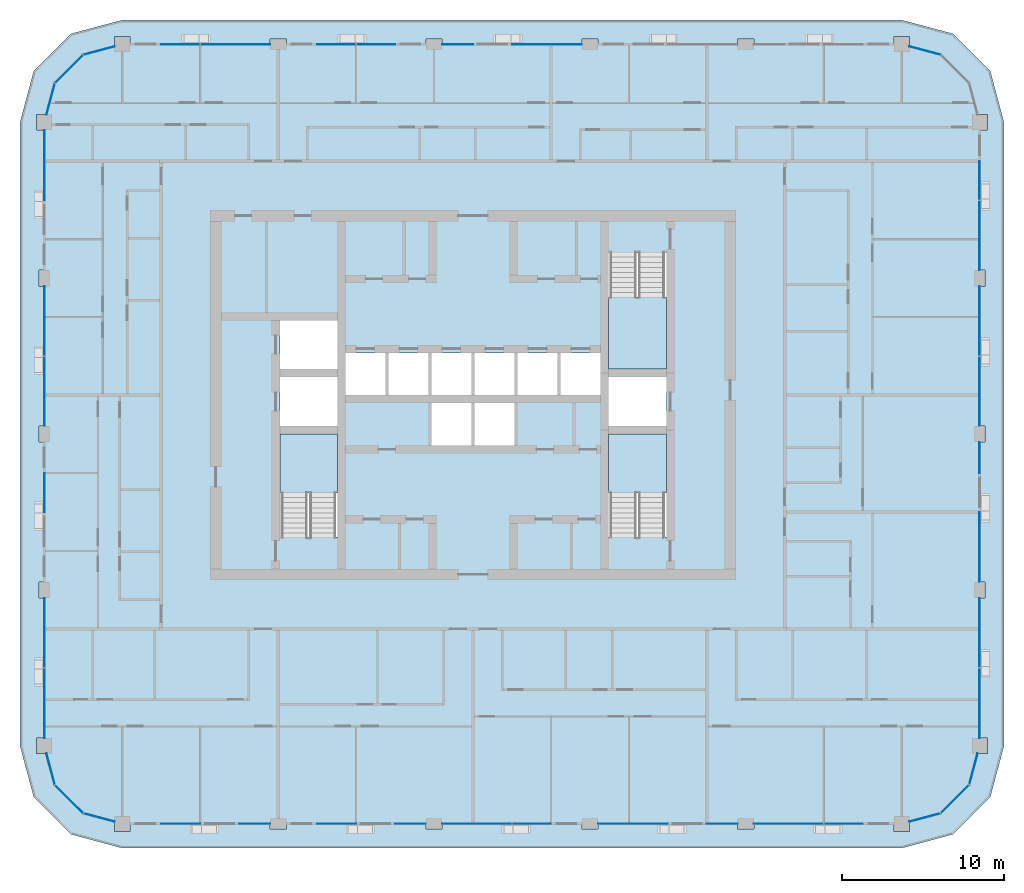
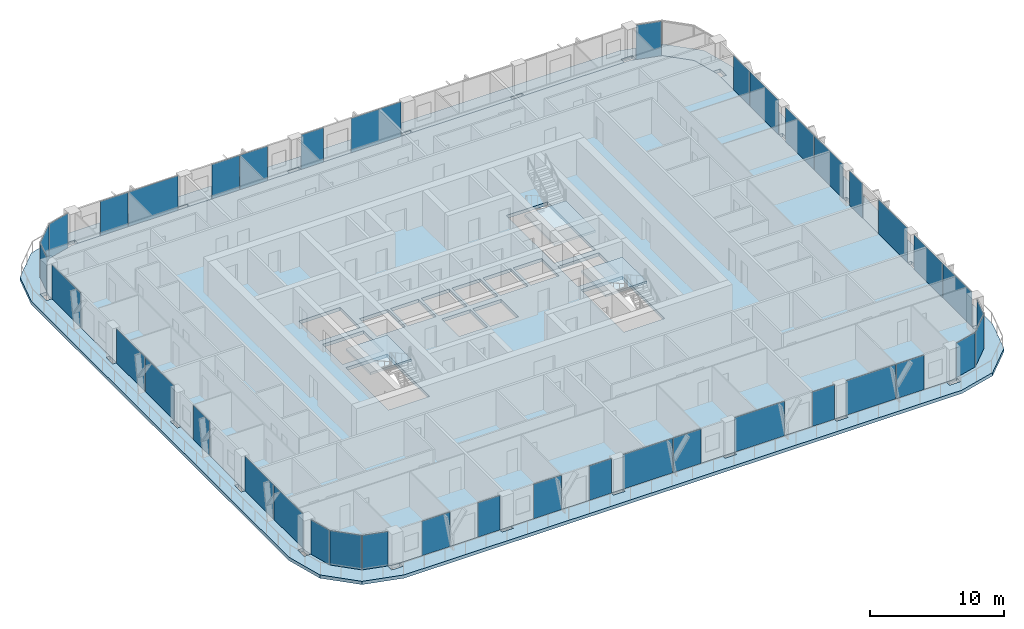
# One storey, part 7 of 22: 40 plates, 5 slabs, 23 elements without a shape of their own.
"""IFC4 building model written with IfcOpenShell, lengths in metres."""

from ifc_helpers import new_model, si_unit, direction, frame, origin, origin_2d, place, context, subcontext, project, spatial, polyline, rectangle, outline, extrude, material, layer, layer_set, type_object, element, aggregate, save


model = new_model("IFC4")

# Units and contexts
model_context = context("Model", 3, precision=1e-05, world=origin(), true_north=direction((0.0, 1.0)))
body_context = subcontext(model_context, "Body", "Model", "MODEL_VIEW")
ifc_project = project(units=[si_unit("LENGTHUNIT", "METRE"), si_unit("AREAUNIT", "SQUARE_METRE"), si_unit("VOLUMEUNIT", "CUBIC_METRE"), si_unit("PLANEANGLEUNIT", "RADIAN"), si_unit("MASSUNIT", "GRAM", prefix="KILO")], contexts=[model_context])

# Site, building, storey
site_placement = place(None, origin())
site = spatial("IfcSite", under=ifc_project, at=site_placement, CompositionType="ELEMENT")
building_placement = place(site_placement, origin())
building = spatial("IfcBuilding", under=site, at=building_placement, Name="Madar Terraces", CompositionType="ELEMENT")
storey_placement = place(building_placement, frame((0.0, 0.0, 192.89990234375)))
storey = spatial("IfcBuildingStorey", under=building, at=storey_placement, Name="L50", CompositionType="ELEMENT", Elevation=192.89990234375)

# Slabs
ifc_material_1 = material(Name="Concrete C50/60", Category="concrete")
ifc_layer_1 = layer(ifc_material_1, 0.300048828125)
ifc_layer_set_1 = layer_set([ifc_layer_1], Name="Balcony band 300")
slab_type_1 = type_object("IfcSlabType", Name="Balcony band 300", PredefinedType="FLOOR", material=ifc_layer_set_1)
slab_1_placement = place(storey_placement, frame((0.0, 0.0, -0.2998046875)))
element("IfcSlab", 1, at=slab_1_placement, inside=storey, type_object=slab_type_1, Name="Balcony band", PredefinedType="FLOOR", context=body_context, shape_type="SweptSolid", body=[
    extrude(outline(polyline([(9.60009765625, -1.5), (6.449951171875, -0.656005859375), (4.14404296875, 1.64990234375), (3.300048828125, 4.800048828125), (3.300048828125, 43.199951171875), (4.14404296875, 46.35009765625), (6.449951171875, 48.656005859375), (9.60009765625, 49.5), (57.60009765625, 49.5), (60.75, 48.656005859375), (63.055908203125, 46.35009765625), (63.89990234375, 43.199951171875), (63.89990234375, 4.800048828125), (63.055908203125, 1.64990234375), (60.75, -0.656005859375), (57.60009765625, -1.5), (9.60009765625, -1.5)]), holes=[polyline([(10.074951171875, -0.47509765625), (10.074951171875, 0.0), (18.699951171875, 0.0), (18.699951171875, -0.324951171875), (19.699951171875, -0.324951171875), (19.699951171875, 0.0), (28.300048828125, 0.0), (28.300048828125, -0.324951171875), (29.300048828125, -0.324951171875), (29.300048828125, 0.0), (37.89990234375, 0.0), (37.89990234375, -0.324951171875), (38.89990234375, -0.324951171875), (38.89990234375, 0.0), (47.5, 0.0), (47.5, -0.324951171875), (48.5, -0.324951171875), (48.5, 0.0), (57.125, 0.0), (57.125, -0.47509765625), (58.074951171875, -0.47509765625), (58.074951171875, 0.127197265625), (60.0, 0.64306640625), (61.7568359375, 2.39990234375), (62.272705078125, 4.324951171875), (62.875, 4.324951171875), (62.875, 5.27490234375), (62.39990234375, 5.27490234375), (62.39990234375, 13.89990234375), (62.72509765625, 13.89990234375), (62.72509765625, 14.89990234375), (62.39990234375, 14.89990234375), (62.39990234375, 23.5), (62.72509765625, 23.5), (62.72509765625, 24.5), (62.39990234375, 24.5), (62.39990234375, 33.10009765625), (62.72509765625, 33.10009765625), (62.72509765625, 34.10009765625), (62.39990234375, 34.10009765625), (62.39990234375, 42.72509765625), (62.875, 42.72509765625), (62.875, 43.675048828125), (62.272705078125, 43.675048828125), (61.7568359375, 45.60009765625), (60.0, 47.35693359375), (58.074951171875, 47.872802734375), (58.074951171875, 48.47509765625), (57.125, 48.47509765625), (57.125, 48.0), (48.5, 48.0), (48.5, 48.324951171875), (47.5, 48.324951171875), (47.5, 48.0), (38.89990234375, 48.0), (38.89990234375, 48.324951171875), (37.89990234375, 48.324951171875), (37.89990234375, 48.0), (29.300048828125, 48.0), (29.300048828125, 48.324951171875), (28.300048828125, 48.324951171875), (28.300048828125, 48.0), (19.699951171875, 48.0), (19.699951171875, 48.324951171875), (18.699951171875, 48.324951171875), (18.699951171875, 48.0), (10.074951171875, 48.0), (10.074951171875, 48.47509765625), (9.125, 48.47509765625), (9.125, 47.872802734375), (7.199951171875, 47.35693359375), (5.443115234375, 45.60009765625), (4.92724609375, 43.675048828125), (4.324951171875, 43.675048828125), (4.324951171875, 42.72509765625), (4.800048828125, 42.72509765625), (4.800048828125, 34.10009765625), (4.47509765625, 34.10009765625), (4.47509765625, 33.10009765625), (4.800048828125, 33.10009765625), (4.800048828125, 24.5), (4.47509765625, 24.5), (4.47509765625, 23.5), (4.800048828125, 23.5), (4.800048828125, 14.89990234375), (4.47509765625, 14.89990234375), (4.47509765625, 13.89990234375), (4.800048828125, 13.89990234375), (4.800048828125, 5.27490234375), (4.324951171875, 5.27490234375), (4.324951171875, 4.324951171875), (4.92724609375, 4.324951171875), (5.443115234375, 2.39990234375), (7.199951171875, 0.64306640625), (9.125, 0.127197265625), (9.125, -0.47509765625), (10.074951171875, -0.47509765625)])]), origin(), (0.0, 0.0, 1.0), 0.2998046875),
])
ifc_material_2 = material(Name="Concrete C50/60", Category="concrete")
ifc_layer_2 = layer(ifc_material_2, 0.300048828125)
ifc_layer_set_2 = layer_set([ifc_layer_2], Name="FS2 PT flat slab 300")
slab_type_2 = type_object("IfcSlabType", Name="FS2 PT flat slab 300", PredefinedType="FLOOR", material=ifc_layer_set_2)
slab_2_placement = place(storey_placement, frame((0.0, 0.0, -0.2998046875)))
element("IfcSlab", 2, at=slab_2_placement, inside=storey, type_object=slab_type_2, Name="Floor slab L50 (1)", PredefinedType="FLOOR", context=body_context, shape_type="SweptSolid", body=[
    extrude(outline(polyline([(57.60009765625, 0.0), (60.0, 0.64306640625), (61.7568359375, 2.39990234375), (62.39990234375, 4.800048828125), (62.39990234375, 43.199951171875), (61.7568359375, 45.60009765625), (60.0, 47.35693359375), (57.60009765625, 48.0), (9.60009765625, 48.0), (7.199951171875, 47.35693359375), (5.443115234375, 45.60009765625), (4.800048828125, 43.199951171875), (4.800048828125, 4.800048828125), (5.443115234375, 2.39990234375), (7.199951171875, 0.64306640625), (9.60009765625, 0.0), (57.60009765625, 0.0)]), holes=[polyline([(22.85009765625, 17.64990234375), (19.300048828125, 17.64990234375), (19.300048828125, 24.0), (22.85009765625, 24.0), (22.85009765625, 17.64990234375)]), polyline([(28.64990234375, 23.300048828125), (28.64990234375, 25.89990234375), (31.10009765625, 25.89990234375), (31.10009765625, 23.300048828125), (28.64990234375, 23.300048828125)]), polyline([(19.300048828125, 24.5), (19.300048828125, 27.5), (22.85009765625, 27.5), (22.85009765625, 24.5), (19.300048828125, 24.5)]), polyline([(23.35009765625, 26.39990234375), (23.35009765625, 29.0), (25.800048828125, 29.0), (25.800048828125, 26.39990234375), (23.35009765625, 26.39990234375)]), polyline([(26.0, 26.39990234375), (26.0, 29.0), (28.449951171875, 29.0), (28.449951171875, 26.39990234375), (26.0, 26.39990234375)]), polyline([(28.64990234375, 26.39990234375), (28.64990234375, 29.0), (31.10009765625, 29.0), (31.10009765625, 26.39990234375), (28.64990234375, 26.39990234375)]), polyline([(19.300048828125, 28.0), (19.300048828125, 31.0), (22.85009765625, 31.0), (22.85009765625, 28.0), (19.300048828125, 28.0)]), polyline([(43.10009765625, 17.64990234375), (39.550048828125, 17.64990234375), (39.550048828125, 24.0), (43.10009765625, 24.0), (43.10009765625, 17.64990234375)]), polyline([(31.300048828125, 23.300048828125), (31.300048828125, 25.89990234375), (33.75, 25.89990234375), (33.75, 23.300048828125), (31.300048828125, 23.300048828125)]), polyline([(39.550048828125, 24.5), (39.550048828125, 27.5), (43.10009765625, 27.5), (43.10009765625, 24.5), (39.550048828125, 24.5)]), polyline([(31.300048828125, 26.39990234375), (31.300048828125, 29.0), (33.75, 29.0), (33.75, 26.39990234375), (31.300048828125, 26.39990234375)]), polyline([(33.949951171875, 26.39990234375), (33.949951171875, 29.0), (36.39990234375, 29.0), (36.39990234375, 26.39990234375), (33.949951171875, 26.39990234375)]), polyline([(36.60009765625, 26.39990234375), (36.60009765625, 29.0), (39.050048828125, 29.0), (39.050048828125, 26.39990234375), (36.60009765625, 26.39990234375)]), polyline([(39.550048828125, 28.0), (39.550048828125, 35.14990234375), (43.10009765625, 35.14990234375), (43.10009765625, 28.0), (39.550048828125, 28.0)])]), origin(), (0.0, 0.0, 1.0), 0.2998046875),
])

# Curtain wall, plates
ifc_material_3 = material(Name="Glass, ceramic frit dark grey, with black aluminium frame", Category="aluminium")
ifc_layer_3 = layer(ifc_material_3, 0.199951171875)
ifc_layer_set_3 = layer_set([ifc_layer_3], Name="Facade curtain wall, fritted glass")
curtain_wall_type = type_object("IfcCurtainWallType", Name="Facade curtain wall, fritted glass", PredefinedType="NOTDEFINED", material=ifc_layer_set_3)
curtain_wall_1_placement = place(storey_placement, origin())
curtain_wall_1 = element("IfcCurtainWall", 3, at=curtain_wall_1_placement, inside=storey, type_object=curtain_wall_type, Name="Outer skin curtain wall south bay 1", PredefinedType="NOTDEFINED")
ifc_material_4 = material(Name="Glass, ceramic frit dark grey", Category="glass")
ifc_layer_4 = layer(ifc_material_4, 0.028076171875)
ifc_layer_set_4 = layer_set([ifc_layer_4], Name="Facade glass panel 28")
plate_type = type_object("IfcPlateType", Name="Facade glass panel 28", PredefinedType="CURTAIN_PANEL", material=ifc_layer_set_4)
plate_1_placement = place(storey_placement, frame((13.199951171875, 0.0, 0.0), z_axis=(0.0, 0.0, 1.0), x_axis=(1.0, 0.0, 0.0)))
plate_1 = element("IfcPlate", 4, at=plate_1_placement, type_object=plate_type, Name="Panel 1", PredefinedType="CURTAIN_PANEL", context=body_context, shape_type="SweptSolid", body=[
    extrude(rectangle(XDim=2.39990234375, YDim=0.028076171875, at=origin_2d()), origin(), (0.0, 0.0, 1.0), 3.139892578125),
])
plate_2_placement = place(storey_placement, frame((17.75, 0.0, 0.0), z_axis=(0.0, 0.0, 1.0), x_axis=(1.0, 0.0, 0.0)))
plate_2 = element("IfcPlate", 5, at=plate_2_placement, type_object=plate_type, Name="Panel 2", PredefinedType="CURTAIN_PANEL", context=body_context, shape_type="SweptSolid", body=[
    extrude(rectangle(XDim=1.89990234375, YDim=0.028076171875, at=origin_2d()), origin(), (0.0, 0.0, 1.0), 3.139892578125),
])
aggregate(curtain_wall_1, [plate_1, plate_2])

curtain_wall_2_placement = place(storey_placement, origin())
curtain_wall_2 = element("IfcCurtainWall", 6, at=curtain_wall_2_placement, inside=storey, type_object=curtain_wall_type, Name="Outer skin curtain wall south bay 2", PredefinedType="NOTDEFINED")
plate_3_placement = place(storey_placement, frame((22.800048828125, 0.0, 0.0), z_axis=(0.0, 0.0, 1.0), x_axis=(1.0, 0.0, 0.0)))
plate_3 = element("IfcPlate", 7, at=plate_3_placement, type_object=plate_type, Name="Panel 1", PredefinedType="CURTAIN_PANEL", context=body_context, shape_type="SweptSolid", body=[
    extrude(rectangle(XDim=2.39990234375, YDim=0.028076171875, at=origin_2d()), origin(), (0.0, 0.0, 1.0), 3.139892578125),
])
plate_4_placement = place(storey_placement, frame((27.35009765625, 0.0, 0.0), z_axis=(0.0, 0.0, 1.0), x_axis=(1.0, 0.0, 0.0)))
plate_4 = element("IfcPlate", 8, at=plate_4_placement, type_object=plate_type, Name="Panel 2", PredefinedType="CURTAIN_PANEL", context=body_context, shape_type="SweptSolid", body=[
    extrude(rectangle(XDim=1.89990234375, YDim=0.028076171875, at=origin_2d()), origin(), (0.0, 0.0, 1.0), 3.139892578125),
])
aggregate(curtain_wall_2, [plate_3, plate_4])

curtain_wall_3_placement = place(storey_placement, origin())
curtain_wall_3 = element("IfcCurtainWall", 9, at=curtain_wall_3_placement, inside=storey, type_object=curtain_wall_type, Name="Outer skin curtain wall south bay 3", PredefinedType="NOTDEFINED")
plate_5_placement = place(storey_placement, frame((31.43505859375, 0.0, 0.0), z_axis=(0.0, 0.0, 1.0), x_axis=(1.0, 0.0, 0.0)))
plate_5 = element("IfcPlate", 10, at=plate_5_placement, type_object=plate_type, Name="Panel 1", PredefinedType="CURTAIN_PANEL", context=body_context, shape_type="SweptSolid", body=[
    extrude(rectangle(XDim=4.27001953125, YDim=0.028076171875, at=origin_2d()), origin(), (0.0, 0.0, 1.0), 3.139892578125),
])
plate_6_placement = place(storey_placement, frame((34.81494140625, 0.0, 0.0), z_axis=(0.0, 0.0, 1.0), x_axis=(1.0, 0.0, 0.0)))
plate_6 = element("IfcPlate", 11, at=plate_6_placement, type_object=plate_type, Name="Panel 2", PredefinedType="CURTAIN_PANEL", context=body_context, shape_type="SweptSolid", body=[
    extrude(rectangle(XDim=2.3701171875, YDim=0.028076171875, at=origin_2d()), origin(), (0.0, 0.0, 1.0), 3.139892578125),
])
aggregate(curtain_wall_3, [plate_5, plate_6])

curtain_wall_4_placement = place(storey_placement, origin())
curtain_wall_4 = element("IfcCurtainWall", 12, at=curtain_wall_4_placement, inside=storey, type_object=curtain_wall_type, Name="Outer skin curtain wall south bay 4", PredefinedType="NOTDEFINED")
plate_7_placement = place(storey_placement, frame((41.050048828125, 0.0, 0.0), z_axis=(0.0, 0.0, 1.0), x_axis=(1.0, 0.0, 0.0)))
plate_7 = element("IfcPlate", 13, at=plate_7_placement, type_object=plate_type, Name="Panel 1", PredefinedType="CURTAIN_PANEL", context=body_context, shape_type="SweptSolid", body=[
    extrude(rectangle(XDim=4.300048828125, YDim=0.028076171875, at=origin_2d()), origin(), (0.0, 0.0, 1.0), 3.139892578125),
])
plate_8_placement = place(storey_placement, frame((46.550048828125, 0.0, 0.0), z_axis=(0.0, 0.0, 1.0), x_axis=(1.0, 0.0, 0.0)))
plate_8 = element("IfcPlate", 14, at=plate_8_placement, type_object=plate_type, Name="Panel 2", PredefinedType="CURTAIN_PANEL", context=body_context, shape_type="SweptSolid", body=[
    extrude(rectangle(XDim=1.89990234375, YDim=0.028076171875, at=origin_2d()), origin(), (0.0, 0.0, 1.0), 3.139892578125),
])
aggregate(curtain_wall_4, [plate_7, plate_8])

curtain_wall_5_placement = place(storey_placement, origin())
curtain_wall_5 = element("IfcCurtainWall", 15, at=curtain_wall_5_placement, inside=storey, type_object=curtain_wall_type, Name="Outer skin curtain wall south bay 5", PredefinedType="NOTDEFINED")
plate_9_placement = place(storey_placement, frame((50.635009765625, 0.0, 0.0), z_axis=(0.0, 0.0, 1.0), x_axis=(1.0, 0.0, 0.0)))
plate_9 = element("IfcPlate", 16, at=plate_9_placement, type_object=plate_type, Name="Panel 1", PredefinedType="CURTAIN_PANEL", context=body_context, shape_type="SweptSolid", body=[
    extrude(rectangle(XDim=4.27001953125, YDim=0.028076171875, at=origin_2d()), origin(), (0.0, 0.0, 1.0), 3.139892578125),
])
plate_10_placement = place(storey_placement, frame((54.014892578125, 0.0, 0.0), z_axis=(0.0, 0.0, 1.0), x_axis=(1.0, 0.0, 0.0)))
plate_10 = element("IfcPlate", 17, at=plate_10_placement, type_object=plate_type, Name="Panel 2", PredefinedType="CURTAIN_PANEL", context=body_context, shape_type="SweptSolid", body=[
    extrude(rectangle(XDim=2.3701171875, YDim=0.028076171875, at=origin_2d()), origin(), (0.0, 0.0, 1.0), 3.139892578125),
])
aggregate(curtain_wall_5, [plate_9, plate_10])

curtain_wall_6_placement = place(storey_placement, origin())
curtain_wall_6 = element("IfcCurtainWall", 18, at=curtain_wall_6_placement, inside=storey, type_object=curtain_wall_type, Name="Outer skin curtain wall east bay 1", PredefinedType="NOTDEFINED")
plate_11_placement = place(storey_placement, frame((62.39990234375, 7.422607421875, 0.0), z_axis=(0.0, 0.0, 1.0), x_axis=(0.0, 1.0, 0.0)))
plate_11 = element("IfcPlate", 19, at=plate_11_placement, type_object=plate_type, Name="Panel 1", PredefinedType="CURTAIN_PANEL", context=body_context, shape_type="SweptSolid", body=[
    extrude(rectangle(XDim=4.294921875, YDim=0.028076171875, at=origin_2d()), origin(), (0.0, 0.0, 1.0), 3.139892578125),
])
plate_12_placement = place(storey_placement, frame((62.39990234375, 11.764892578125, 0.0), z_axis=(0.0, 0.0, 1.0), x_axis=(0.0, 1.0, 0.0)))
plate_12 = element("IfcPlate", 20, at=plate_12_placement, type_object=plate_type, Name="Panel 2", PredefinedType="CURTAIN_PANEL", context=body_context, shape_type="SweptSolid", body=[
    extrude(rectangle(XDim=4.27001953125, YDim=0.028076171875, at=origin_2d()), origin(), (0.0, 0.0, 1.0), 3.139892578125),
])
aggregate(curtain_wall_6, [plate_11, plate_12])

curtain_wall_7_placement = place(storey_placement, origin())
curtain_wall_7 = element("IfcCurtainWall", 21, at=curtain_wall_7_placement, inside=storey, type_object=curtain_wall_type, Name="Outer skin curtain wall east bay 2", PredefinedType="NOTDEFINED")
plate_13_placement = place(storey_placement, frame((62.39990234375, 17.050048828125, 0.0), z_axis=(0.0, 0.0, 1.0), x_axis=(0.0, 1.0, 0.0)))
plate_13 = element("IfcPlate", 22, at=plate_13_placement, type_object=plate_type, Name="Panel 1", PredefinedType="CURTAIN_PANEL", context=body_context, shape_type="SweptSolid", body=[
    extrude(rectangle(XDim=4.300048828125, YDim=0.028076171875, at=origin_2d()), origin(), (0.0, 0.0, 1.0), 3.139892578125),
])
plate_14_placement = place(storey_placement, frame((62.39990234375, 22.550048828125, 0.0), z_axis=(0.0, 0.0, 1.0), x_axis=(0.0, 1.0, 0.0)))
plate_14 = element("IfcPlate", 23, at=plate_14_placement, type_object=plate_type, Name="Panel 2", PredefinedType="CURTAIN_PANEL", context=body_context, shape_type="SweptSolid", body=[
    extrude(rectangle(XDim=1.89990234375, YDim=0.028076171875, at=origin_2d()), origin(), (0.0, 0.0, 1.0), 3.139892578125),
])
aggregate(curtain_wall_7, [plate_13, plate_14])

curtain_wall_8_placement = place(storey_placement, origin())
curtain_wall_8 = element("IfcCurtainWall", 24, at=curtain_wall_8_placement, inside=storey, type_object=curtain_wall_type, Name="Outer skin curtain wall east bay 3", PredefinedType="NOTDEFINED")
plate_15_placement = place(storey_placement, frame((62.39990234375, 26.635009765625, 0.0), z_axis=(0.0, 0.0, 1.0), x_axis=(0.0, 1.0, 0.0)))
plate_15 = element("IfcPlate", 25, at=plate_15_placement, type_object=plate_type, Name="Panel 1", PredefinedType="CURTAIN_PANEL", context=body_context, shape_type="SweptSolid", body=[
    extrude(rectangle(XDim=4.27001953125, YDim=0.028076171875, at=origin_2d()), origin(), (0.0, 0.0, 1.0), 3.139892578125),
])
plate_16_placement = place(storey_placement, frame((62.39990234375, 30.965087890625, 0.0), z_axis=(0.0, 0.0, 1.0), x_axis=(0.0, 1.0, 0.0)))
plate_16 = element("IfcPlate", 26, at=plate_16_placement, type_object=plate_type, Name="Panel 2", PredefinedType="CURTAIN_PANEL", context=body_context, shape_type="SweptSolid", body=[
    extrude(rectangle(XDim=4.27001953125, YDim=0.028076171875, at=origin_2d()), origin(), (0.0, 0.0, 1.0), 3.139892578125),
])
aggregate(curtain_wall_8, [plate_15, plate_16])

curtain_wall_9_placement = place(storey_placement, origin())
curtain_wall_9 = element("IfcCurtainWall", 27, at=curtain_wall_9_placement, inside=storey, type_object=curtain_wall_type, Name="Outer skin curtain wall east bay 4", PredefinedType="NOTDEFINED")
plate_17_placement = place(storey_placement, frame((62.39990234375, 36.235107421875, 0.0), z_axis=(0.0, 0.0, 1.0), x_axis=(0.0, 1.0, 0.0)))
plate_17 = element("IfcPlate", 28, at=plate_17_placement, type_object=plate_type, Name="Panel 1", PredefinedType="CURTAIN_PANEL", context=body_context, shape_type="SweptSolid", body=[
    extrude(rectangle(XDim=4.27001953125, YDim=0.028076171875, at=origin_2d()), origin(), (0.0, 0.0, 1.0), 3.139892578125),
])
plate_18_placement = place(storey_placement, frame((62.39990234375, 39.614990234375, 0.0), z_axis=(0.0, 0.0, 1.0), x_axis=(0.0, 1.0, 0.0)))
plate_18 = element("IfcPlate", 29, at=plate_18_placement, type_object=plate_type, Name="Panel 2", PredefinedType="CURTAIN_PANEL", context=body_context, shape_type="SweptSolid", body=[
    extrude(rectangle(XDim=2.3701171875, YDim=0.028076171875, at=origin_2d()), origin(), (0.0, 0.0, 1.0), 3.139892578125),
])
aggregate(curtain_wall_9, [plate_17, plate_18])

curtain_wall_10_placement = place(storey_placement, origin())
curtain_wall_10 = element("IfcCurtainWall", 30, at=curtain_wall_10_placement, inside=storey, type_object=curtain_wall_type, Name="Outer skin curtain wall north bay 3", PredefinedType="NOTDEFINED")
plate_19_placement = place(storey_placement, frame((35.75, 48.0, 0.0), z_axis=(0.0, 0.0, 1.0), x_axis=(-1.0, 0.0, 0.0)))
plate_19 = element("IfcPlate", 31, at=plate_19_placement, type_object=plate_type, Name="Panel 1", PredefinedType="CURTAIN_PANEL", context=body_context, shape_type="SweptSolid", body=[
    extrude(rectangle(XDim=4.300048828125, YDim=0.028076171875, at=origin_2d()), origin(), (0.0, 0.0, 1.0), 3.139892578125),
])
plate_20_placement = place(storey_placement, frame((30.25, 48.0, 0.0), z_axis=(0.0, 0.0, 1.0), x_axis=(-1.0, 0.0, 0.0)))
plate_20 = element("IfcPlate", 32, at=plate_20_placement, type_object=plate_type, Name="Panel 2", PredefinedType="CURTAIN_PANEL", context=body_context, shape_type="SweptSolid", body=[
    extrude(rectangle(XDim=1.89990234375, YDim=0.028076171875, at=origin_2d()), origin(), (0.0, 0.0, 1.0), 3.139892578125),
])
aggregate(curtain_wall_10, [plate_19, plate_20])

curtain_wall_11_placement = place(storey_placement, origin())
curtain_wall_11 = element("IfcCurtainWall", 33, at=curtain_wall_11_placement, inside=storey, type_object=curtain_wall_type, Name="Outer skin curtain wall north bay 4", PredefinedType="NOTDEFINED")
plate_21_placement = place(storey_placement, frame((25.215087890625, 48.0, 0.0), z_axis=(0.0, 0.0, 1.0), x_axis=(-1.0, 0.0, 0.0)))
plate_21 = element("IfcPlate", 34, at=plate_21_placement, type_object=plate_type, Name="Panel 1", PredefinedType="CURTAIN_PANEL", context=body_context, shape_type="SweptSolid", body=[
    extrude(rectangle(XDim=2.3701171875, YDim=0.028076171875, at=origin_2d()), origin(), (0.0, 0.0, 1.0), 3.139892578125),
])
plate_22_placement = place(storey_placement, frame((22.784912109375, 48.0, 0.0), z_axis=(0.0, 0.0, 1.0), x_axis=(-1.0, 0.0, 0.0)))
plate_22 = element("IfcPlate", 35, at=plate_22_placement, type_object=plate_type, Name="Panel 2", PredefinedType="CURTAIN_PANEL", context=body_context, shape_type="SweptSolid", body=[
    extrude(rectangle(XDim=2.3701171875, YDim=0.028076171875, at=origin_2d()), origin(), (0.0, 0.0, 1.0), 3.139892578125),
])
aggregate(curtain_wall_11, [plate_21, plate_22])

curtain_wall_12_placement = place(storey_placement, origin())
curtain_wall_12 = element("IfcCurtainWall", 36, at=curtain_wall_12_placement, inside=storey, type_object=curtain_wall_type, Name="Outer skin curtain wall north bay 5", PredefinedType="NOTDEFINED")
plate_23_placement = place(storey_placement, frame((16.56494140625, 48.0, 0.0), z_axis=(0.0, 0.0, 1.0), x_axis=(-1.0, 0.0, 0.0)))
plate_23 = element("IfcPlate", 37, at=plate_23_placement, type_object=plate_type, Name="Panel 1", PredefinedType="CURTAIN_PANEL", context=body_context, shape_type="SweptSolid", body=[
    extrude(rectangle(XDim=4.27001953125, YDim=0.028076171875, at=origin_2d()), origin(), (0.0, 0.0, 1.0), 3.139892578125),
])
plate_24_placement = place(storey_placement, frame((13.18505859375, 48.0, 0.0), z_axis=(0.0, 0.0, 1.0), x_axis=(-1.0, 0.0, 0.0)))
plate_24 = element("IfcPlate", 38, at=plate_24_placement, type_object=plate_type, Name="Panel 2", PredefinedType="CURTAIN_PANEL", context=body_context, shape_type="SweptSolid", body=[
    extrude(rectangle(XDim=2.3701171875, YDim=0.028076171875, at=origin_2d()), origin(), (0.0, 0.0, 1.0), 3.139892578125),
])
aggregate(curtain_wall_12, [plate_23, plate_24])

# Curtain wall, plate
curtain_wall_13_placement = place(storey_placement, origin())
curtain_wall_13 = element("IfcCurtainWall", 39, at=curtain_wall_13_placement, inside=storey, type_object=curtain_wall_type, Name="Outer skin curtain wall west bay 1", PredefinedType="NOTDEFINED")
plate_25_placement = place(storey_placement, frame((4.800048828125, 40.5625, 0.0), z_axis=(0.0, 0.0, 1.0), x_axis=(0.0, -1.0, 0.0)))
plate_25 = element("IfcPlate", 40, at=plate_25_placement, type_object=plate_type, Name="Panel 1", PredefinedType="CURTAIN_PANEL", context=body_context, shape_type="SweptSolid", body=[
    extrude(rectangle(XDim=4.324951171875, YDim=0.028076171875, at=origin_2d()), origin(), (0.0, 0.0, 1.0), 3.139892578125),
])
aggregate(curtain_wall_13, [plate_25])

# Curtain wall, plates
curtain_wall_14_placement = place(storey_placement, origin())
curtain_wall_14 = element("IfcCurtainWall", 41, at=curtain_wall_14_placement, inside=storey, type_object=curtain_wall_type, Name="Outer skin curtain wall west bay 2", PredefinedType="NOTDEFINED")
plate_26_placement = place(storey_placement, frame((4.800048828125, 30.965087890625, 0.0), z_axis=(0.0, 0.0, 1.0), x_axis=(0.0, -1.0, 0.0)))
plate_26 = element("IfcPlate", 42, at=plate_26_placement, type_object=plate_type, Name="Panel 1", PredefinedType="CURTAIN_PANEL", context=body_context, shape_type="SweptSolid", body=[
    extrude(rectangle(XDim=4.27001953125, YDim=0.028076171875, at=origin_2d()), origin(), (0.0, 0.0, 1.0), 3.139892578125),
])
plate_27_placement = place(storey_placement, frame((4.800048828125, 26.635009765625, 0.0), z_axis=(0.0, 0.0, 1.0), x_axis=(0.0, -1.0, 0.0)))
plate_27 = element("IfcPlate", 43, at=plate_27_placement, type_object=plate_type, Name="Panel 2", PredefinedType="CURTAIN_PANEL", context=body_context, shape_type="SweptSolid", body=[
    extrude(rectangle(XDim=4.27001953125, YDim=0.028076171875, at=origin_2d()), origin(), (0.0, 0.0, 1.0), 3.139892578125),
])
aggregate(curtain_wall_14, [plate_26, plate_27])

# Curtain wall, plate
curtain_wall_15_placement = place(storey_placement, origin())
curtain_wall_15 = element("IfcCurtainWall", 44, at=curtain_wall_15_placement, inside=storey, type_object=curtain_wall_type, Name="Outer skin curtain wall west bay 3", PredefinedType="NOTDEFINED")
plate_28_placement = place(storey_placement, frame((4.800048828125, 20.39990234375, 0.0), z_axis=(0.0, 0.0, 1.0), x_axis=(0.0, -1.0, 0.0)))
plate_28 = element("IfcPlate", 45, at=plate_28_placement, type_object=plate_type, Name="Panel 1", PredefinedType="CURTAIN_PANEL", context=body_context, shape_type="SweptSolid", body=[
    extrude(rectangle(XDim=2.39990234375, YDim=0.028076171875, at=origin_2d()), origin(), (0.0, 0.0, 1.0), 3.139892578125),
])
aggregate(curtain_wall_15, [plate_28])

# Curtain wall, plates
curtain_wall_16_placement = place(storey_placement, origin())
curtain_wall_16 = element("IfcCurtainWall", 46, at=curtain_wall_16_placement, inside=storey, type_object=curtain_wall_type, Name="Outer skin curtain wall west bay 4", PredefinedType="NOTDEFINED")
plate_29_placement = place(storey_placement, frame((4.800048828125, 11.764892578125, 0.0), z_axis=(0.0, 0.0, 1.0), x_axis=(0.0, -1.0, 0.0)))
plate_29 = element("IfcPlate", 47, at=plate_29_placement, type_object=plate_type, Name="Panel 1", PredefinedType="CURTAIN_PANEL", context=body_context, shape_type="SweptSolid", body=[
    extrude(rectangle(XDim=4.27001953125, YDim=0.028076171875, at=origin_2d()), origin(), (0.0, 0.0, 1.0), 3.139892578125),
])
plate_30_placement = place(storey_placement, frame((4.800048828125, 7.422607421875, 0.0), z_axis=(0.0, 0.0, 1.0), x_axis=(0.0, -1.0, 0.0)))
plate_30 = element("IfcPlate", 48, at=plate_30_placement, type_object=plate_type, Name="Panel 2", PredefinedType="CURTAIN_PANEL", context=body_context, shape_type="SweptSolid", body=[
    extrude(rectangle(XDim=4.294921875, YDim=0.028076171875, at=origin_2d()), origin(), (0.0, 0.0, 1.0), 3.139892578125),
])
aggregate(curtain_wall_16, [plate_29, plate_30])

curtain_wall_17_placement = place(storey_placement, origin())
curtain_wall_17 = element("IfcCurtainWall", 49, at=curtain_wall_17_placement, inside=storey, type_object=curtain_wall_type, Name="Outer skin curtain wall south-east corner", PredefinedType="NOTDEFINED")
plate_31_placement = place(storey_placement, frame((59.02294921875, 0.38134765625, 0.0), z_axis=(0.0, 0.0, 1.0), x_axis=(0.965925832509, 0.258819021888, 0.0)))
plate_31 = element("IfcPlate", 50, at=plate_31_placement, type_object=plate_type, Name="Panel 1", PredefinedType="CURTAIN_PANEL", context=body_context, shape_type="SweptSolid", body=[
    extrude(rectangle(XDim=1.962890625, YDim=0.028076171875, at=origin_2d()), origin(), (0.0, 0.0, 1.0), 3.139892578125),
])
plate_32_placement = place(storey_placement, frame((60.87841796875, 1.521484375, 0.0), z_axis=(0.0, 0.0, 1.0), x_axis=(0.707106781187, 0.707106781187, 0.0)))
plate_32 = element("IfcPlate", 51, at=plate_32_placement, type_object=plate_type, Name="Panel 2", PredefinedType="CURTAIN_PANEL", context=body_context, shape_type="SweptSolid", body=[
    extrude(rectangle(XDim=2.424560546875, YDim=0.028076171875, at=origin_2d()), origin(), (0.0, 0.0, 1.0), 3.139892578125),
])
plate_33_placement = place(storey_placement, frame((62.018798828125, 3.376953125, 0.0), z_axis=(0.0, 0.0, 1.0), x_axis=(0.258819021888, 0.965925832509, 0.0)))
plate_33 = element("IfcPlate", 52, at=plate_33_placement, type_object=plate_type, Name="Panel 3", PredefinedType="CURTAIN_PANEL", context=body_context, shape_type="SweptSolid", body=[
    extrude(rectangle(XDim=1.962890625, YDim=0.028076171875, at=origin_2d()), origin(), (0.0, 0.0, 1.0), 3.139892578125),
])
aggregate(curtain_wall_17, [plate_31, plate_32, plate_33])

# Curtain wall, plate
curtain_wall_18_placement = place(storey_placement, origin())
curtain_wall_18 = element("IfcCurtainWall", 53, at=curtain_wall_18_placement, inside=storey, type_object=curtain_wall_type, Name="Outer skin curtain wall north-east corner", PredefinedType="NOTDEFINED")
plate_34_placement = place(storey_placement, frame((59.02294921875, 47.61865234375, 0.0), z_axis=(0.0, 0.0, 1.0), x_axis=(-0.965925832509, 0.258819021888, 0.0)))
plate_34 = element("IfcPlate", 54, at=plate_34_placement, type_object=plate_type, Name="Panel 3", PredefinedType="CURTAIN_PANEL", context=body_context, shape_type="SweptSolid", body=[
    extrude(rectangle(XDim=1.962890625, YDim=0.028076171875, at=origin_2d()), origin(), (0.0, 0.0, 1.0), 3.139892578125),
])
aggregate(curtain_wall_18, [plate_34])

# Curtain wall, plates
curtain_wall_19_placement = place(storey_placement, origin())
curtain_wall_19 = element("IfcCurtainWall", 55, at=curtain_wall_19_placement, inside=storey, type_object=curtain_wall_type, Name="Outer skin curtain wall north-west corner", PredefinedType="NOTDEFINED")
plate_35_placement = place(storey_placement, frame((8.177001953125, 47.61865234375, 0.0), z_axis=(0.0, 0.0, 1.0), x_axis=(-0.965925832509, -0.258819021888, 0.0)))
plate_35 = element("IfcPlate", 56, at=plate_35_placement, type_object=plate_type, Name="Panel 1", PredefinedType="CURTAIN_PANEL", context=body_context, shape_type="SweptSolid", body=[
    extrude(rectangle(XDim=1.962890625, YDim=0.028076171875, at=origin_2d()), origin(), (0.0, 0.0, 1.0), 3.139892578125),
])
plate_36_placement = place(storey_placement, frame((6.321533203125, 46.478515625, 0.0), z_axis=(0.0, 0.0, 1.0), x_axis=(-0.707106781187, -0.707106781187, 0.0)))
plate_36 = element("IfcPlate", 57, at=plate_36_placement, type_object=plate_type, Name="Panel 2", PredefinedType="CURTAIN_PANEL", context=body_context, shape_type="SweptSolid", body=[
    extrude(rectangle(XDim=2.424560546875, YDim=0.028076171875, at=origin_2d()), origin(), (0.0, 0.0, 1.0), 3.139892578125),
])
plate_37_placement = place(storey_placement, frame((5.181396484375, 44.623046875, 0.0), z_axis=(0.0, 0.0, 1.0), x_axis=(-0.258819021888, -0.965925832509, 0.0)))
plate_37 = element("IfcPlate", 58, at=plate_37_placement, type_object=plate_type, Name="Panel 3", PredefinedType="CURTAIN_PANEL", context=body_context, shape_type="SweptSolid", body=[
    extrude(rectangle(XDim=1.962890625, YDim=0.028076171875, at=origin_2d()), origin(), (0.0, 0.0, 1.0), 3.139892578125),
])
aggregate(curtain_wall_19, [plate_35, plate_36, plate_37])

curtain_wall_20_placement = place(storey_placement, origin())
curtain_wall_20 = element("IfcCurtainWall", 59, at=curtain_wall_20_placement, inside=storey, type_object=curtain_wall_type, Name="Outer skin curtain wall south-west corner", PredefinedType="NOTDEFINED")
plate_38_placement = place(storey_placement, frame((5.181396484375, 3.376953125, 0.0), z_axis=(0.0, 0.0, 1.0), x_axis=(0.258819021888, -0.965925832509, 0.0)))
plate_38 = element("IfcPlate", 60, at=plate_38_placement, type_object=plate_type, Name="Panel 1", PredefinedType="CURTAIN_PANEL", context=body_context, shape_type="SweptSolid", body=[
    extrude(rectangle(XDim=1.962890625, YDim=0.028076171875, at=origin_2d()), origin(), (0.0, 0.0, 1.0), 3.139892578125),
])
plate_39_placement = place(storey_placement, frame((6.321533203125, 1.521484375, 0.0), z_axis=(0.0, 0.0, 1.0), x_axis=(0.707106781187, -0.707106781187, 0.0)))
plate_39 = element("IfcPlate", 61, at=plate_39_placement, type_object=plate_type, Name="Panel 2", PredefinedType="CURTAIN_PANEL", context=body_context, shape_type="SweptSolid", body=[
    extrude(rectangle(XDim=2.424560546875, YDim=0.028076171875, at=origin_2d()), origin(), (0.0, 0.0, 1.0), 3.139892578125),
])
plate_40_placement = place(storey_placement, frame((8.177001953125, 0.38134765625, 0.0), z_axis=(0.0, 0.0, 1.0), x_axis=(0.965925832509, -0.258819021888, 0.0)))
plate_40 = element("IfcPlate", 62, at=plate_40_placement, type_object=plate_type, Name="Panel 3", PredefinedType="CURTAIN_PANEL", context=body_context, shape_type="SweptSolid", body=[
    extrude(rectangle(XDim=1.962890625, YDim=0.028076171875, at=origin_2d()), origin(), (0.0, 0.0, 1.0), 3.139892578125),
])
aggregate(curtain_wall_20, [plate_38, plate_39, plate_40])

# Stair, slab
ifc_material_5 = material(Name="Concrete C50/60", Category="concrete")
stair_type_1 = type_object("IfcStairType", Name="Stair ST1 protected exit", PredefinedType="HALF_TURN_STAIR", material=ifc_material_5)
stair_1_placement = place(storey_placement, origin())
stair_1 = element("IfcStair", 63, at=stair_1_placement, inside=storey, type_object=stair_type_1, Name="L50 Protected Exit Stair ST1", PredefinedType="HALF_TURN_STAIR")
ifc_material_6 = material(Name="Concrete C50/60", Category="concrete")
ifc_layer_5 = layer(ifc_material_6, 0.199951171875)
ifc_layer_set_5 = layer_set([ifc_layer_5], Name="Stair landing 200, top +1.75")
slab_type_3 = type_object("IfcSlabType", Name="Stair landing 200, top +1.75", PredefinedType="LANDING", material=ifc_layer_set_5)
slab_3_placement = place(storey_placement, frame((0.0, 0.0, 1.550048828125)))
slab_3 = element("IfcSlab", 64, at=slab_3_placement, type_object=slab_type_3, Name="ST1 landing 1", PredefinedType="LANDING", context=body_context, shape_type="SweptSolid", body=[
    extrude(outline(polyline([(19.300048828125, 20.360107421875), (22.85009765625, 20.360107421875), (22.85009765625, 24.0), (19.300048828125, 24.0), (19.300048828125, 20.360107421875)])), origin(), (0.0, 0.0, 1.0), 0.199951171875),
])
aggregate(stair_1, [slab_3])

ifc_material_7 = material(Name="Concrete C50/60", Category="concrete")
stair_type_2 = type_object("IfcStairType", Name="Stair ST2 protected exit", PredefinedType="HALF_TURN_STAIR", material=ifc_material_7)
stair_2_placement = place(storey_placement, origin())
stair_2 = element("IfcStair", 65, at=stair_2_placement, inside=storey, type_object=stair_type_2, Name="L50 Protected Exit Stair ST2", PredefinedType="HALF_TURN_STAIR")
slab_4_placement = place(storey_placement, frame((0.0, 0.0, 1.550048828125)))
slab_4 = element("IfcSlab", 66, at=slab_4_placement, type_object=slab_type_3, Name="ST2 landing 1", PredefinedType="LANDING", context=body_context, shape_type="SweptSolid", body=[
    extrude(outline(polyline([(39.550048828125, 28.0), (43.10009765625, 28.0), (43.10009765625, 32.43994140625), (39.550048828125, 32.43994140625), (39.550048828125, 28.0)])), origin(), (0.0, 0.0, 1.0), 0.199951171875),
])
aggregate(stair_2, [slab_4])

ifc_material_8 = material(Name="Concrete C50/60", Category="concrete")
stair_type_3 = type_object("IfcStairType", Name="Stair ST3 protected exit", PredefinedType="HALF_TURN_STAIR", material=ifc_material_8)
stair_3_placement = place(storey_placement, origin())
stair_3 = element("IfcStair", 67, at=stair_3_placement, inside=storey, type_object=stair_type_3, Name="L50 Protected Exit Stair ST3", PredefinedType="HALF_TURN_STAIR")
slab_5_placement = place(storey_placement, frame((0.0, 0.0, 1.550048828125)))
slab_5 = element("IfcSlab", 68, at=slab_5_placement, type_object=slab_type_3, Name="ST3 landing 1", PredefinedType="LANDING", context=body_context, shape_type="SweptSolid", body=[
    extrude(outline(polyline([(39.550048828125, 20.360107421875), (43.10009765625, 20.360107421875), (43.10009765625, 24.0), (39.550048828125, 24.0), (39.550048828125, 20.360107421875)])), origin(), (0.0, 0.0, 1.0), 0.199951171875),
])
aggregate(stair_3, [slab_5])

save(model, "model.ifc")
